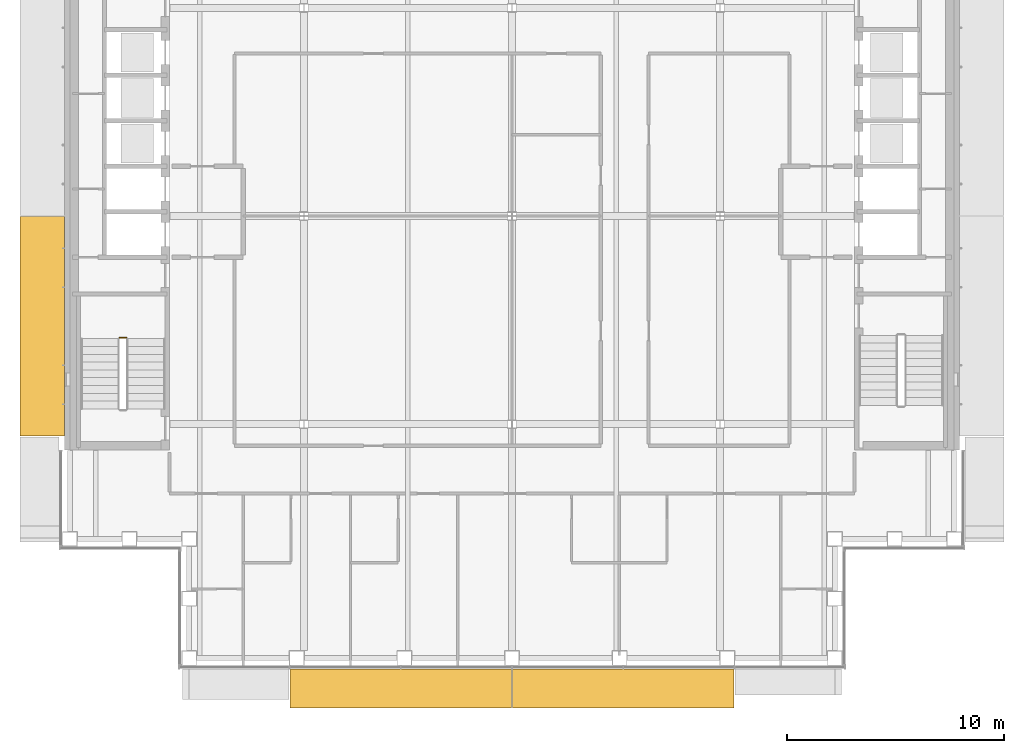
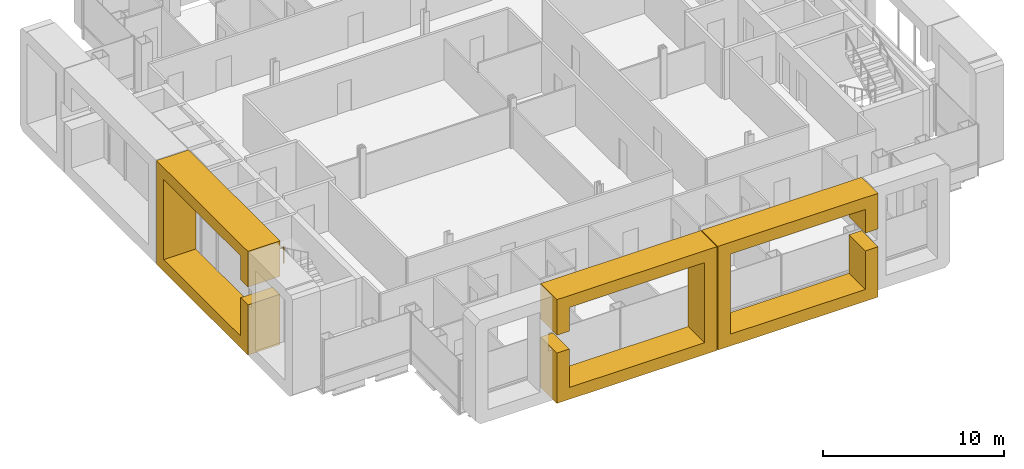
# One storey, part 14 of 19: 3 coverings, 1 railing.
"""IFC4 building model written with IfcOpenShell, lengths in metres."""

from ifc_helpers import new_model, si_unit, direction, frame, origin, origin_2d, place, context, subcontext, project, spatial, polyline, circle, outline, extrude, material, type_object, element, save


model = new_model("IFC4")

# Units and contexts
model_context = context("Model", 3, precision=1e-05, world=origin(), true_north=direction((0.0, 1.0)))
body_context = subcontext(model_context, "Body", "Model", "MODEL_VIEW")
ifc_project = project(units=[si_unit("LENGTHUNIT", "METRE"), si_unit("AREAUNIT", "SQUARE_METRE"), si_unit("VOLUMEUNIT", "CUBIC_METRE"), si_unit("PLANEANGLEUNIT", "RADIAN"), si_unit("MASSUNIT", "GRAM", prefix="KILO")], contexts=[model_context])

# Site, building, storey
site_placement = place(None, origin())
site = spatial("IfcSite", under=ifc_project, at=site_placement, CompositionType="ELEMENT")
building_placement = place(site_placement, origin())
building = spatial("IfcBuilding", under=site, at=building_placement, Name="Cobrizo Arcos Hotel Tower", CompositionType="ELEMENT")
storey_placement = place(building_placement, frame((0.0, 0.0, 205.0)))
storey = spatial("IfcBuildingStorey", under=building, at=storey_placement, Name="L53", CompositionType="ELEMENT", Elevation=205.0)

# Coverings
ifc_material_1 = material(Name="Aluminium 6063-T6 anodised bronze", Category="aluminium")
covering_type_1 = type_object("IfcCoveringType", Name="FIN-F 1800", PredefinedType="CLADDING", material=ifc_material_1)
covering_1_placement = place(storey_placement, frame((-10.24169921875, -20.89990234375, 0.0), z_axis=(0.0, -1.0, 0.0), x_axis=(1.0, 0.0, 0.0)))
element("IfcCovering", 1, at=covering_1_placement, inside=storey, type_object=covering_type_1, Name="Fin frame 332", PredefinedType="CLADDING", context=body_context, shape_type="SweptSolid", body=[
    extrude(outline(polyline([(0.0, 7.0), (0.0, 4.60205078125), (0.800048828125, 4.60205078125), (0.800048828125, 6.199951171875), (9.416748046875, 6.199951171875), (9.416748046875, 0.800048828125), (0.800048828125, 0.800048828125), (0.800048828125, 3.39794921875), (0.0, 3.39794921875), (0.0, 0.0), (10.216796875, 0.0), (10.216796875, 7.0), (0.0, 7.0)])), origin(), (0.0, 0.0, 1.0), 1.800048828125),
])
covering_2_placement = place(storey_placement, frame((0.02490234375, -20.89990234375, 0.0), z_axis=(0.0, -1.0, 0.0), x_axis=(1.0, 0.0, 0.0)))
element("IfcCovering", 2, at=covering_2_placement, inside=storey, type_object=covering_type_1, Name="Fin frame 333", PredefinedType="CLADDING", context=body_context, shape_type="SweptSolid", body=[
    extrude(outline(polyline([(10.216796875, 0.0), (10.216796875, 3.39794921875), (9.416748046875, 3.39794921875), (9.416748046875, 0.800048828125), (0.800048828125, 0.800048828125), (0.800048828125, 6.199951171875), (9.416748046875, 6.199951171875), (9.416748046875, 4.60205078125), (10.216796875, 4.60205078125), (10.216796875, 7.0), (0.0, 7.0), (0.0, 0.0), (10.216796875, 0.0)])), origin(), (0.0, 0.0, 1.0), 1.800048828125),
])
covering_type_2 = type_object("IfcCoveringType", Name="FIN-F 2050", PredefinedType="CLADDING", material=ifc_material_1)
covering_3_placement = place(storey_placement, frame((-20.64990234375, -0.02490234375, 0.0), z_axis=(-1.0, 0.0, 0.0), x_axis=(0.0, -1.0, 0.0)))
element("IfcCovering", 3, at=covering_3_placement, inside=storey, type_object=covering_type_2, Name="Fin frame 351", PredefinedType="CLADDING", context=body_context, shape_type="SweptSolid", body=[
    extrude(outline(polyline([(10.11669921875, 0.0), (10.11669921875, 3.39794921875), (9.316650390625, 3.39794921875), (9.316650390625, 0.800048828125), (0.800048828125, 0.800048828125), (0.800048828125, 6.199951171875), (9.316650390625, 6.199951171875), (9.316650390625, 4.60205078125), (10.11669921875, 4.60205078125), (10.11669921875, 7.0), (0.0, 7.0), (0.0, 0.0), (10.11669921875, 0.0)])), origin(), (0.0, 0.0, 1.0), 2.050048828125),
])

# Railing
ifc_material_2 = material(Name="Stainless steel railing", Category="steel")
railing_type = type_object("IfcRailingType", Name="Stair guard 1100", PredefinedType="GUARDRAIL", material=ifc_material_2)
railing_placement = place(storey_placement, frame((-17.800048828125, -5.610107421875, 1.75)))
element("IfcRailing", 4, at=railing_placement, inside=storey, type_object=railing_type, Name="L53 ST-W stair guard 2", PredefinedType="GUARDRAIL", context=body_context, shape_type="SweptSolid", body=[
    extrude(circle(Radius=0.02392578125, at=origin_2d()), frame((0.0, 0.0, 1.076171875), z_axis=(-1.0, 0.0, 0.0), x_axis=(0.0, -1.0, 0.0)), (0.0, 0.0, 1.0), 0.300048828125),
    extrude(circle(Radius=0.02099609375, at=origin_2d()), origin(), (0.0, 0.0, 1.0), 1.052001953125),
    extrude(circle(Radius=0.02099609375, at=origin_2d()), frame((-0.300048828125, 0.0, 0.0)), (0.0, 0.0, 1.0), 1.052001953125),
])

save(model, "model.ifc")
